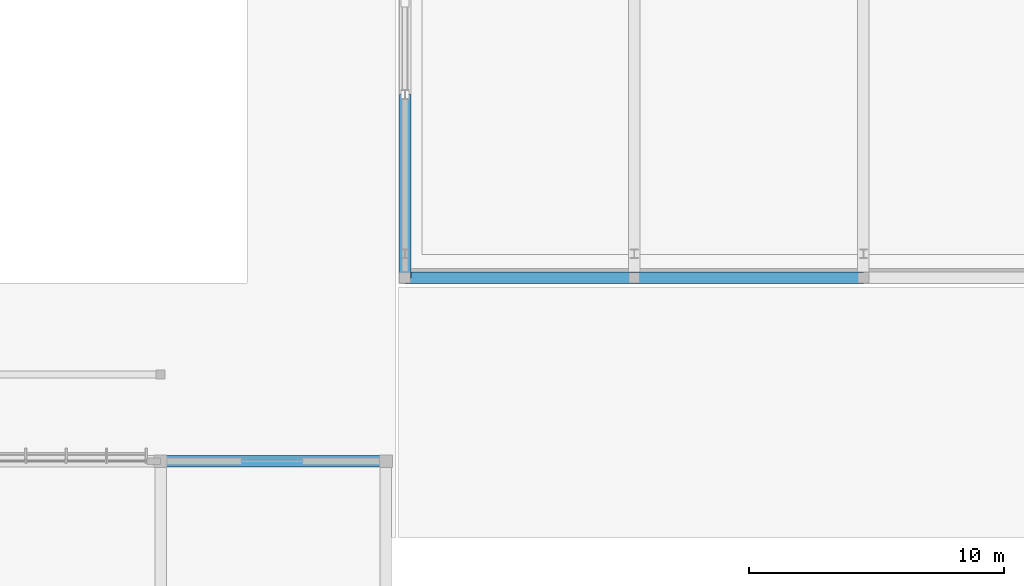
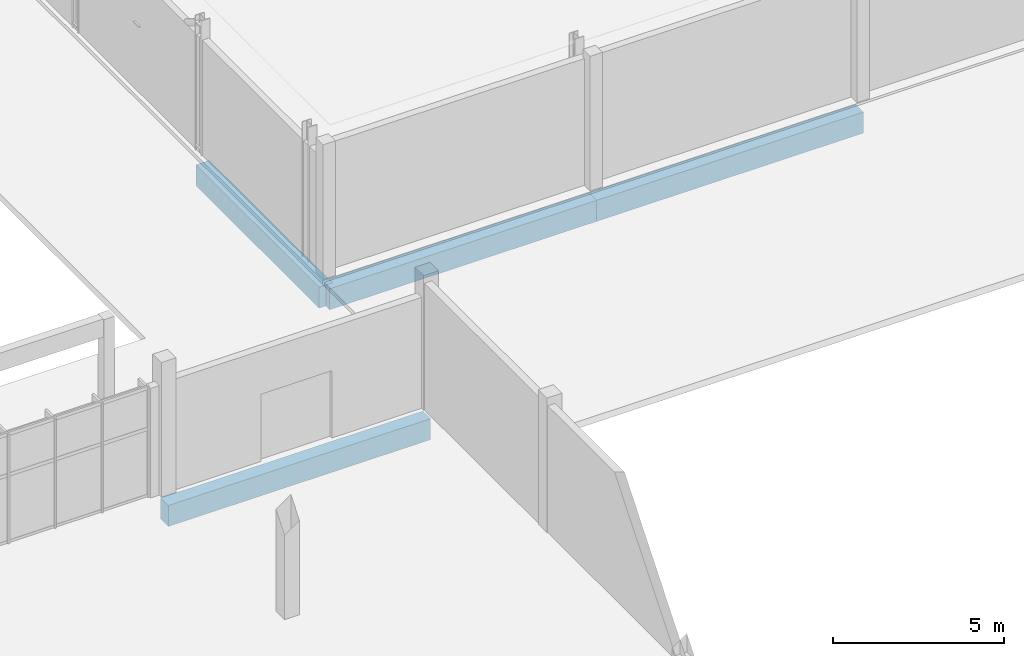
# One storey, part 45 of 151: 4 beams.
"""IFC4 building model written with IfcOpenShell, lengths in metres."""

from ifc_helpers import new_model, si_unit, direction, frame, origin, origin_2d, place, context, subcontext, project, spatial, rectangle, extrude, material, material_profile, profile_set, type_object, element, save


model = new_model("IFC4")

# Units and contexts
model_context = context("Model", 3, precision=1e-05, world=origin(), true_north=direction((0.0, 1.0)))
body_context = subcontext(model_context, "Body", "Model", "MODEL_VIEW")
ifc_project = project(units=[si_unit("LENGTHUNIT", "METRE"), si_unit("AREAUNIT", "SQUARE_METRE"), si_unit("VOLUMEUNIT", "CUBIC_METRE"), si_unit("PLANEANGLEUNIT", "RADIAN"), si_unit("MASSUNIT", "GRAM", prefix="KILO")], contexts=[model_context])

# Site, building, storey
site_placement = place(None, origin())
site = spatial("IfcSite", under=ifc_project, at=site_placement, CompositionType="ELEMENT")
building_placement = place(site_placement, origin())
building = spatial("IfcBuilding", under=site, at=building_placement, Name="Chiffa Square Polytechnic", CompositionType="ELEMENT")
storey_placement = place(building_placement, origin())
storey = spatial("IfcBuildingStorey", under=building, at=storey_placement, Name="L00", CompositionType="ELEMENT", Elevation=0.0)

# Beams
ifc_material = material(Name="Concrete C35/45", Category="concrete")
ifc_material_profile = material_profile(ifc_material, rectangle(XDim=0.449951171875, YDim=0.75, at=origin_2d()), Name="RC 450x750")
ifc_profile_set = profile_set([ifc_material_profile], Name="Concrete C35/45")
beam_type = type_object("IfcBeamType", Name="GB-RC-450X750", PredefinedType="BEAM", material=ifc_profile_set)
for number, where, z_axis, x_axis, name in (
    (1, (112.199951171875, 58.199951171875, -0.77490234375), (1.0, 0.0, 0.0), (0.0, 1.0, 0.0), "Ground tie beam GB-V2-X-001"),
    (2, (121.199951171875, 58.199951171875, -0.77490234375), (1.0, 0.0, 0.0), (0.0, 1.0, 0.0), "Ground tie beam GB-V2-X-002"),
):
    element("IfcBeam", number, at=place(storey_placement, frame(where, z_axis=z_axis, x_axis=x_axis)), inside=storey, type_object=beam_type, Name=name, PredefinedType="BEAM", context=body_context, shape_type="SweptSolid", body=[
        extrude(rectangle(XDim=0.449951171875, YDim=0.75, at=origin_2d()), origin(), (0.0, 0.0, 1.0), 9.0),
    ])
beam_1_placement = place(storey_placement, frame((112.199951171875, 58.199951171875, -0.77490234375), z_axis=(0.0, 1.0, 0.0), x_axis=(-1.0, 0.0, 0.0)))
element("IfcBeam", 3, at=beam_1_placement, inside=storey, type_object=beam_type, Name="Ground tie beam GB-V2-Y-022", PredefinedType="BEAM", context=body_context, shape_type="SweptSolid", body=[
    extrude(rectangle(XDim=0.449951171875, YDim=0.75, at=origin_2d()), origin(), (0.0, 0.0, 1.0), 7.199951171875),
])
beam_2_placement = place(storey_placement, frame((102.60009765625, 51.0, -0.77490234375), z_axis=(1.0, 0.0, 0.0), x_axis=(0.0, 1.0, 0.0)))
element("IfcBeam", 4, at=beam_2_placement, inside=storey, type_object=beam_type, Name="Ground tie beam GB-V4-X-120", PredefinedType="BEAM", context=body_context, shape_type="SweptSolid", body=[
    extrude(rectangle(XDim=0.449951171875, YDim=0.75, at=origin_2d()), origin(), (0.0, 0.0, 1.0), 8.849853515625),
])

save(model, "model.ifc")
